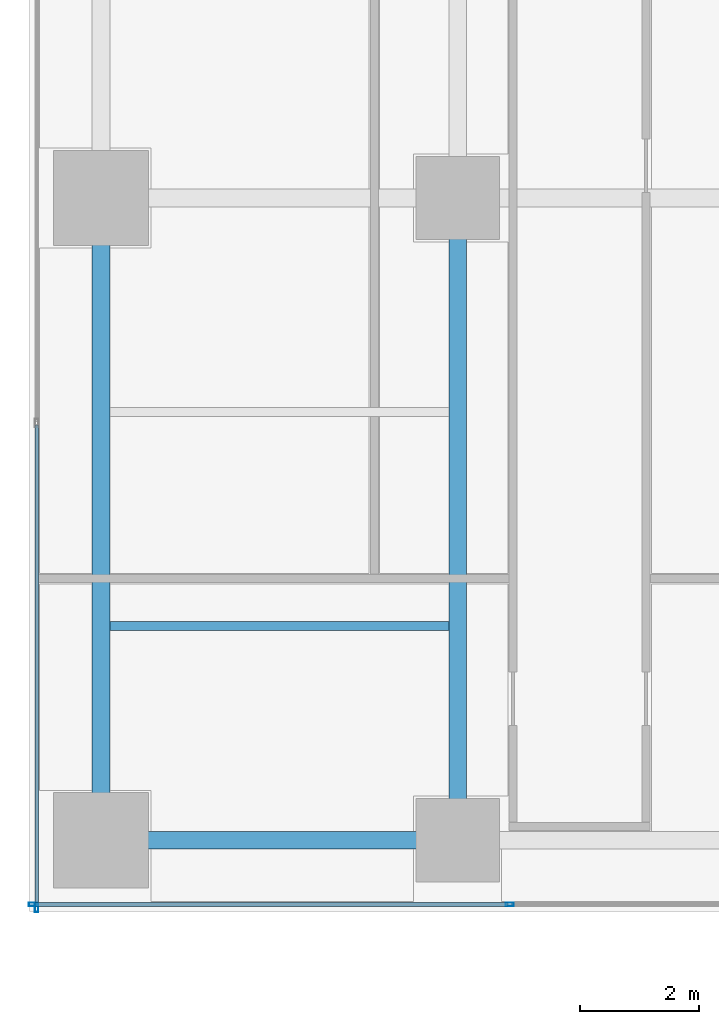
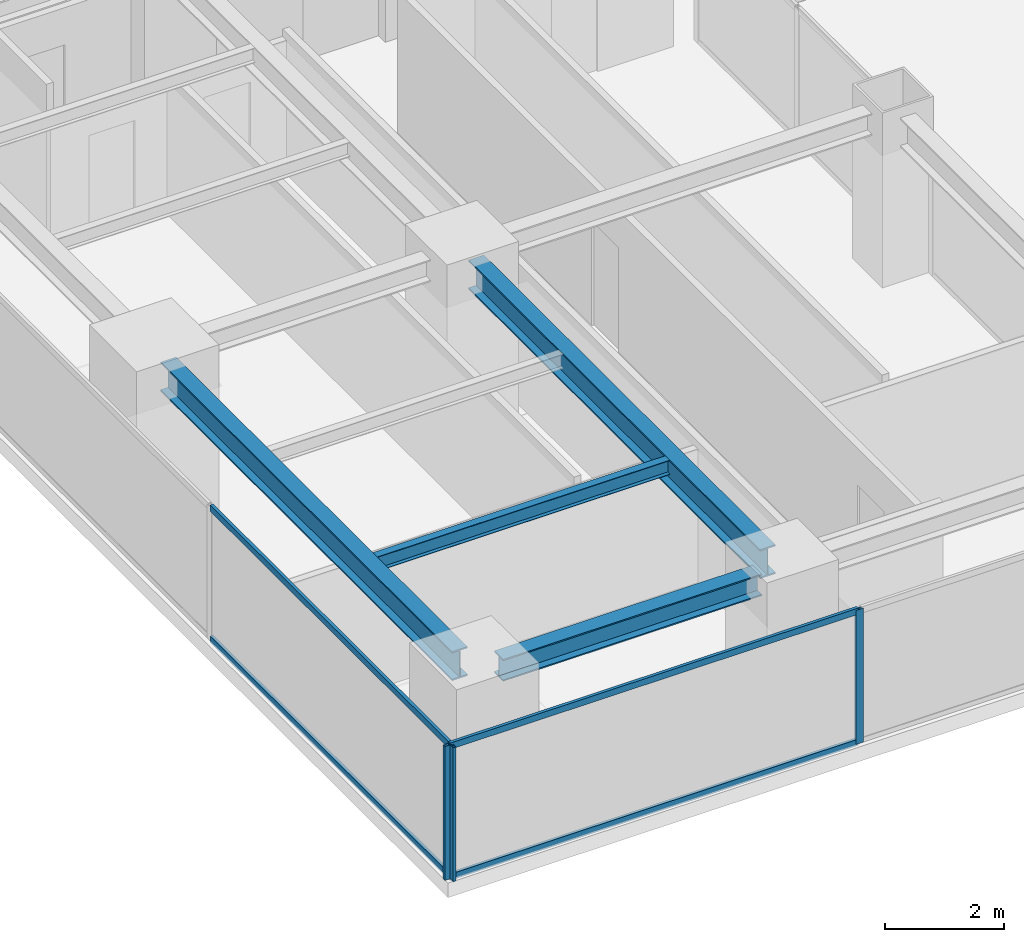
# One storey, part 2 of 30: 7 members, 4 beams, 2 elements without a shape of their own.
"""IFC4 building model written with IfcOpenShell, lengths in metres."""

from ifc_helpers import new_model, si_unit, direction, frame, origin, origin_2d, place, context, subcontext, project, spatial, hollow_rectangle, i_section, extrude, source, transform, mapped, material, layer, layer_set, material_profile, profile_set, type_object, element, aggregate, save


model = new_model("IFC4")

# Units and contexts
model_context = context("Model", 3, precision=1e-05, world=origin(), true_north=direction((0.0, 1.0)))
body_context = subcontext(model_context, "Body", "Model", "MODEL_VIEW")
ifc_project = project(units=[si_unit("LENGTHUNIT", "METRE"), si_unit("AREAUNIT", "SQUARE_METRE"), si_unit("VOLUMEUNIT", "CUBIC_METRE"), si_unit("PLANEANGLEUNIT", "RADIAN"), si_unit("MASSUNIT", "GRAM", prefix="KILO")], contexts=[model_context])

# Site, building, storey
site_placement = place(None, origin())
site = spatial("IfcSite", under=ifc_project, at=site_placement, CompositionType="ELEMENT")
building_placement = place(site_placement, origin())
building = spatial("IfcBuilding", under=site, at=building_placement, Name="Sumidabori Civic Tower", CompositionType="ELEMENT")
storey_placement = place(building_placement, frame((0.0, 0.0, 196.39990234375)))
storey = spatial("IfcBuildingStorey", under=building, at=storey_placement, Name="L50", CompositionType="ELEMENT", Elevation=196.39990234375)

# Beams
ifc_material_1 = material(Name="Steel SN490", Category="steel")
ifc_material_profile_1 = material_profile(ifc_material_1, i_section(OverallWidth=0.300048828125, OverallDepth=0.60009765625, WebThickness=0.015380859375, FlangeThickness=0.030029296875, at=origin_2d()), Name="HE 600 B")
ifc_profile_set_1 = profile_set([ifc_material_profile_1], Name="Steel SN490")
beam_type_1 = type_object("IfcBeamType", Name="BM-GIRD-600", PredefinedType="BEAM", material=ifc_profile_set_1)
shared_shape_1 = source(origin(), body_context, "Body", "SweptSolid", [
    extrude(i_section(OverallWidth=0.300048828125, OverallDepth=0.60009765625, WebThickness=0.015380859375, FlangeThickness=0.030029296875, at=origin_2d()), origin(), (0.0, 0.0, 1.0), 9.840087890625),
])
for number, where, z_axis, x_axis, name in (
    (1, (-22.800048828125, -10.320068359375, 3.080078125), (0.0, 1.0, 0.0), (-1.0, 0.0, 0.0), "Primary Girder L50 GY-11"),
    (2, (-16.800048828125, -10.320068359375, 3.080078125), (0.0, 1.0, 0.0), (-1.0, 0.0, 0.0), "Primary Girder L50 GY-14"),
):
    element("IfcBeam", number, at=place(storey_placement, frame(where, z_axis=z_axis, x_axis=x_axis)), inside=storey, type_object=beam_type_1, Name=name, PredefinedType="BEAM", context=body_context, shape_type="MappedRepresentation", body=[
        mapped(shared_shape_1, transform((0.0, 0.0, 0.0), x_axis=(1.0, 0.0, 0.0), y_axis=(0.0, 1.0, 0.0), z_axis=(0.0, 0.0, 1.0), scale=1.0)),
    ])
ifc_material_profile_2 = material_profile(ifc_material_1, i_section(OverallWidth=0.14990234375, OverallDepth=0.300048828125, WebThickness=0.007080078125, FlangeThickness=0.0107421875, at=origin_2d()), Name="IPE 300")
ifc_profile_set_2 = profile_set([ifc_material_profile_2], Name="Steel SN490")
beam_type_2 = type_object("IfcBeamType", Name="BM-JST-300", PredefinedType="JOIST", material=ifc_profile_set_2)
shared_shape_2 = source(origin(), body_context, "Body", "SweptSolid", [
    extrude(i_section(OverallWidth=0.14990234375, OverallDepth=0.300048828125, WebThickness=0.007080078125, FlangeThickness=0.0107421875, at=origin_2d()), origin(), (0.0, 0.0, 1.0), 5.699951171875),
])
beam_1_placement = place(storey_placement, frame((-22.64990234375, -7.199951171875, 3.22998046875), z_axis=(1.0, 0.0, 0.0), x_axis=(0.0, 1.0, 0.0)))
element("IfcBeam", 3, at=beam_1_placement, inside=storey, type_object=beam_type_2, Name="Outer Bay Floor Joist L50 JSTO-25", PredefinedType="JOIST", context=body_context, shape_type="MappedRepresentation", body=[
    mapped(shared_shape_2, transform((0.0, 0.0, 0.0), x_axis=(1.0, 0.0, 0.0), y_axis=(0.0, 1.0, 0.0), z_axis=(0.0, 0.0, 1.0), scale=1.0)),
])
ifc_material_profile_3 = material_profile(ifc_material_1, i_section(OverallWidth=0.300048828125, OverallDepth=0.449951171875, WebThickness=0.013916015625, FlangeThickness=0.02587890625, at=origin_2d()), Name="HE 450 B")
ifc_profile_set_3 = profile_set([ifc_material_profile_3], Name="Steel SN490")
beam_type_3 = type_object("IfcBeamType", Name="BM-GIRD-450", PredefinedType="BEAM", material=ifc_profile_set_3)
shared_shape_3 = source(origin(), body_context, "Body", "SweptSolid", [
    extrude(i_section(OverallWidth=0.300048828125, OverallDepth=0.449951171875, WebThickness=0.013916015625, FlangeThickness=0.02587890625, at=origin_2d()), origin(), (0.0, 0.0, 1.0), 5.0400390625),
])
beam_2_placement = place(storey_placement, frame((-22.320068359375, -10.800048828125, 3.155029296875), z_axis=(1.0, 0.0, 0.0), x_axis=(0.0, 1.0, 0.0)))
element("IfcBeam", 4, at=beam_2_placement, inside=storey, type_object=beam_type_3, Name="Primary Girder L50 GX-01", PredefinedType="BEAM", context=body_context, shape_type="MappedRepresentation", body=[
    mapped(shared_shape_3, transform((0.0, 0.0, 0.0), x_axis=(1.0, 0.0, 0.0), y_axis=(0.0, 1.0, 0.0), z_axis=(0.0, 0.0, 1.0), scale=1.0)),
])

# Curtain wall, members
ifc_material_2 = material(Name="Anodised Bronze Aluminium AW-6063-T6", Category="aluminium")
ifc_layer = layer(ifc_material_2, 0.179931640625, Name="Anodised Bronze Aluminium AW-6063-T6")
ifc_layer_set = layer_set([ifc_layer], Name="Anodised Bronze Aluminium AW-6063-T6")
curtain_wall_type = type_object("IfcCurtainWallType", Name="CW-SYS-5", PredefinedType="NOTDEFINED", material=ifc_layer_set)
curtain_wall_1_placement = place(storey_placement, origin())
curtain_wall_1 = element("IfcCurtainWall", 5, at=curtain_wall_1_placement, inside=storey, type_object=curtain_wall_type, Name="Curtain Wall CW:L50:R01", PredefinedType="NOTDEFINED")
ifc_material_profile_4 = material_profile(ifc_material_2, hollow_rectangle(XDim=0.06005859375, YDim=0.139892578125, WallThickness=0.0048828125, at=origin_2d()), Name="ALU MULLION 140x60")
ifc_profile_set_4 = profile_set([ifc_material_profile_4], Name="Anodised Bronze Aluminium AW-6063-T6")
member_type_1 = type_object("IfcMemberType", Name="CW-MUL-140", PredefinedType="MULLION", material=ifc_profile_set_4)
shared_shape_4 = source(origin(), body_context, "Body", "SweptSolid", [
    extrude(hollow_rectangle(XDim=0.06005859375, YDim=0.139892578125, WallThickness=0.0048828125, at=origin_2d()), origin(), (0.0, 0.0, 1.0), 2.760009765625),
])
member_1_placement = place(storey_placement, frame((-23.93994140625, -11.8798828125, 0.0), z_axis=(0.0, 0.0, 1.0), x_axis=(0.0, 1.0, 0.0)))
member_1 = element("IfcMember", 6, at=member_1_placement, type_object=member_type_1, Name="CW-5 mullion 1", PredefinedType="MULLION", context=body_context, shape_type="MappedRepresentation", body=[
    mapped(shared_shape_4, transform((0.0, 0.0, 0.0), x_axis=(1.0, 0.0, 0.0), y_axis=(0.0, 1.0, 0.0), z_axis=(0.0, 0.0, 1.0), scale=1.0)),
])
member_2_placement = place(storey_placement, frame((-15.925048828125, -11.8798828125, 0.0), z_axis=(0.0, 0.0, 1.0), x_axis=(0.0, 1.0, 0.0)))
member_2 = element("IfcMember", 7, at=member_2_placement, type_object=member_type_1, Name="CW-5 mullion 2", PredefinedType="MULLION", context=body_context, shape_type="MappedRepresentation", body=[
    mapped(shared_shape_4, transform((0.0, 0.0, 0.0), x_axis=(1.0, 0.0, 0.0), y_axis=(0.0, 1.0, 0.0), z_axis=(0.0, 0.0, 1.0), scale=1.0)),
])

# Curtain wall, member
curtain_wall_2_placement = place(storey_placement, origin())
curtain_wall_2 = element("IfcCurtainWall", 8, at=curtain_wall_2_placement, inside=storey, type_object=curtain_wall_type, Name="Curtain Wall CW:L50:R16", PredefinedType="NOTDEFINED")
member_3_placement = place(storey_placement, frame((-23.8798828125, -11.93994140625, 0.0), z_axis=(0.0, 0.0, 1.0), x_axis=(1.0, 0.0, 0.0)))
member_3 = element("IfcMember", 9, at=member_3_placement, type_object=member_type_1, Name="CW-5 mullion 5", PredefinedType="MULLION", context=body_context, shape_type="MappedRepresentation", body=[
    mapped(shared_shape_4, transform((0.0, 0.0, 0.0), x_axis=(1.0, 0.0, 0.0), y_axis=(0.0, 1.0, 0.0), z_axis=(0.0, 0.0, 1.0), scale=1.0)),
])

# Member
ifc_material_profile_5 = material_profile(ifc_material_2, hollow_rectangle(XDim=0.06005859375, YDim=0.1298828125, WallThickness=0.0048828125, at=origin_2d()), Name="ALU TRANSOM 130x60")
ifc_profile_set_5 = profile_set([ifc_material_profile_5], Name="Anodised Bronze Aluminium AW-6063-T6")
member_type_2 = type_object("IfcMemberType", Name="CW-TRN-130", PredefinedType="USERDEFINED", material=ifc_profile_set_5)
shared_shape_5 = source(origin(), body_context, "Body", "SweptSolid", [
    extrude(hollow_rectangle(XDim=0.06005859375, YDim=0.1298828125, WallThickness=0.0048828125, at=origin_2d()), origin(), (0.0, 0.0, 1.0), 7.954833984375),
])
member_4_placement = place(storey_placement, frame((-23.909912109375, -11.8798828125, 0.030029296875), z_axis=(1.0, 0.0, 0.0), x_axis=(0.0, 1.0, 0.0)))
member_4 = element("IfcMember", 10, at=member_4_placement, type_object=member_type_2, Name="CW-5 transom 1.1", ObjectType="TRANSOM", PredefinedType="USERDEFINED", context=body_context, shape_type="MappedRepresentation", body=[
    mapped(shared_shape_5, transform((0.0, 0.0, 0.0), x_axis=(1.0, 0.0, 0.0), y_axis=(0.0, 1.0, 0.0), z_axis=(0.0, 0.0, 1.0), scale=1.0)),
])

member_5_placement = place(storey_placement, frame((-23.909912109375, -11.8798828125, 2.72998046875), z_axis=(1.0, 0.0, 0.0), x_axis=(0.0, 1.0, 0.0)))
member_5 = element("IfcMember", 11, at=member_5_placement, type_object=member_type_2, Name="CW-5 transom 1.2", ObjectType="TRANSOM", PredefinedType="USERDEFINED", context=body_context, shape_type="MappedRepresentation", body=[
    mapped(shared_shape_5, transform((0.0, 0.0, 0.0), x_axis=(1.0, 0.0, 0.0), y_axis=(0.0, 1.0, 0.0), z_axis=(0.0, 0.0, 1.0), scale=1.0)),
])

aggregate(curtain_wall_1, [member_1, member_2, member_4, member_5])

shared_shape_6 = source(origin(), body_context, "Body", "SweptSolid", [
    extrude(hollow_rectangle(XDim=0.06005859375, YDim=0.1298828125, WallThickness=0.0048828125, at=origin_2d()), origin(), (0.0, 0.0, 1.0), 8.094970703125),
])
member_6_placement = place(storey_placement, frame((-23.8798828125, -3.81494140625, 0.030029296875), z_axis=(0.0, -1.0, 0.0), x_axis=(1.0, 0.0, 0.0)))
member_6 = element("IfcMember", 12, at=member_6_placement, type_object=member_type_2, Name="CW-5 transom 4.1", ObjectType="TRANSOM", PredefinedType="USERDEFINED", context=body_context, shape_type="MappedRepresentation", body=[
    mapped(shared_shape_6, transform((0.0, 0.0, 0.0), x_axis=(1.0, 0.0, 0.0), y_axis=(0.0, 1.0, 0.0), z_axis=(0.0, 0.0, 1.0), scale=1.0)),
])

member_7_placement = place(storey_placement, frame((-23.8798828125, -3.81494140625, 2.72998046875), z_axis=(0.0, -1.0, 0.0), x_axis=(1.0, 0.0, 0.0)))
member_7 = element("IfcMember", 13, at=member_7_placement, type_object=member_type_2, Name="CW-5 transom 4.2", ObjectType="TRANSOM", PredefinedType="USERDEFINED", context=body_context, shape_type="MappedRepresentation", body=[
    mapped(shared_shape_6, transform((0.0, 0.0, 0.0), x_axis=(1.0, 0.0, 0.0), y_axis=(0.0, 1.0, 0.0), z_axis=(0.0, 0.0, 1.0), scale=1.0)),
])

aggregate(curtain_wall_2, [member_3, member_6, member_7])

save(model, "model.ifc")
